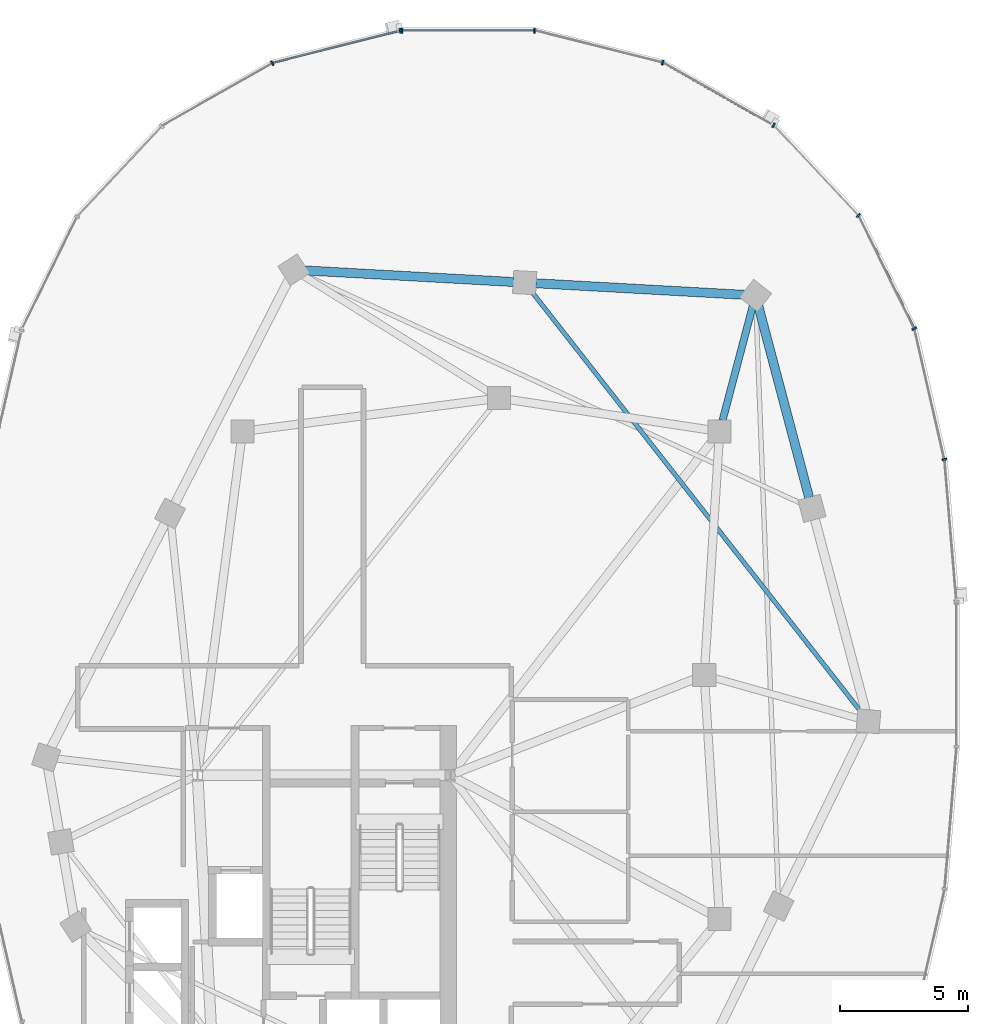
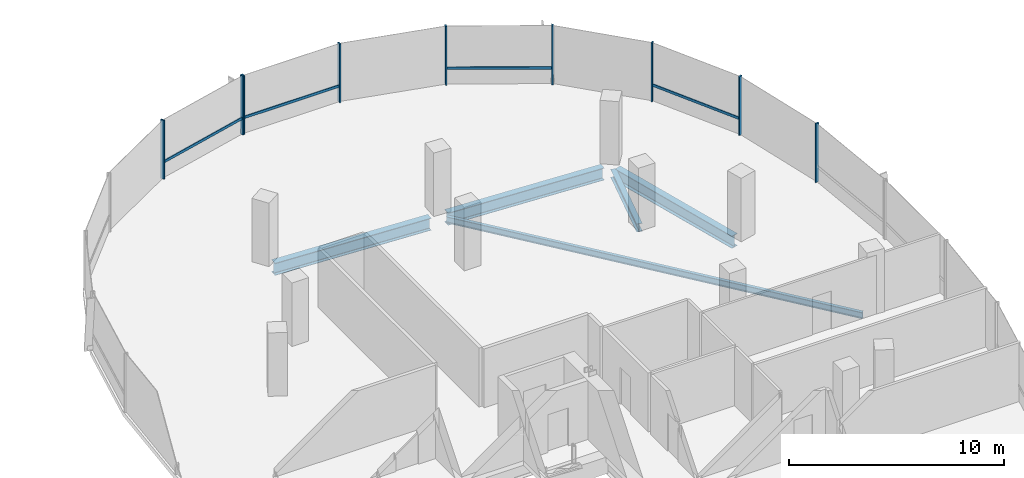
# One storey, part 12 of 25: 13 members, 5 beams, 2 elements without a shape of their own.
"""IFC4 building model written with IfcOpenShell, lengths in metres."""

from ifc_helpers import new_model, si_unit, direction, frame, origin, origin_2d, place, context, subcontext, project, spatial, rectangle, i_section, extrude, material, material_profile, profile_set, type_object, element, aggregate, save


model = new_model("IFC4")

# Units and contexts
model_context = context("Model", 3, precision=1e-05, world=origin(), true_north=direction((0.0, 1.0)))
body_context = subcontext(model_context, "Body", "Model", "MODEL_VIEW")
ifc_project = project(units=[si_unit("LENGTHUNIT", "METRE"), si_unit("AREAUNIT", "SQUARE_METRE"), si_unit("VOLUMEUNIT", "CUBIC_METRE"), si_unit("PLANEANGLEUNIT", "RADIAN"), si_unit("MASSUNIT", "GRAM", prefix="KILO"), si_unit("THERMODYNAMICTEMPERATUREUNIT", "KELVIN"), si_unit("POWERUNIT", "WATT")], contexts=[model_context])

# Site, building, storey
site_placement = place(None, origin())
site = spatial("IfcSite", under=ifc_project, at=site_placement, CompositionType="ELEMENT")
building_placement = place(site_placement, origin())
building = spatial("IfcBuilding", under=site, at=building_placement, Name="Cundina Bronze Exchange", CompositionType="ELEMENT")
storey_placement = place(building_placement, frame((0.0, 0.0, 195.39990234375)))
storey = spatial("IfcBuildingStorey", under=building, at=storey_placement, Name="L51", CompositionType="ELEMENT", Elevation=195.39990234375)

# Beams
ifc_material_1 = material(Name="Steel ASTM A992 Grade 50", Category="steel")
ifc_material_profile_1 = material_profile(ifc_material_1, i_section(OverallWidth=0.280029296875, OverallDepth=0.462890625, WebThickness=0.0107421875, FlangeThickness=0.017333984375, FilletRadius=0.011962890625, at=origin_2d()), Name="W18X76", Category="steel")
ifc_profile_set_1 = profile_set([ifc_material_profile_1], Name="Steel ASTM A992 Grade 50")
beam_type_1 = type_object("IfcBeamType", Name="BM-FLR-W18A", PredefinedType="BEAM", material=ifc_profile_set_1)
beam_1_placement = place(storey_placement, frame((41.911865234375, 9.923583984375, -0.491455078125), z_axis=(0.255398602339, 0.96683584642, 0.0), x_axis=(-0.96683584642, 0.255398602339, 0.0)))
element("IfcBeam", 1, at=beam_1_placement, inside=storey, type_object=beam_type_1, Name="L51 Leg E Chordal Floor Beam 10", PredefinedType="BEAM", context=body_context, shape_type="SweptSolid", body=[
    extrude(i_section(OverallWidth=0.280029296875, OverallDepth=0.462890625, WebThickness=0.0107421875, FlangeThickness=0.017333984375, FilletRadius=0.011962890625, at=origin_2d()), origin(), (0.0, 0.0, 1.0), 4.605712890625),
])
ifc_material_profile_2 = material_profile(ifc_material_1, i_section(OverallWidth=0.172119140625, OverallDepth=0.35791015625, WebThickness=0.0078125, FlangeThickness=0.01318359375, FilletRadius=0.010009765625, at=origin_2d()), Name="W14X38", Category="steel")
ifc_profile_set_2 = profile_set([ifc_material_profile_2], Name="Steel ASTM A992 Grade 50")
beam_type_2 = type_object("IfcBeamType", Name="BM-JST-W14", PredefinedType="JOIST", material=ifc_profile_set_2)
beam_2_placement = place(storey_placement, frame((47.329833984375, -1.455078125, -0.43896484375), z_axis=(-0.616810493522, 0.787111691618, 0.0), x_axis=(-0.787111691618, -0.616810493522, 0.0)))
element("IfcBeam", 2, at=beam_2_placement, inside=storey, type_object=beam_type_2, Name="L51 Leg E Lobe Floor Joist 08-11", PredefinedType="JOIST", context=body_context, shape_type="SweptSolid", body=[
    extrude(i_section(OverallWidth=0.172119140625, OverallDepth=0.35791015625, WebThickness=0.0078125, FlangeThickness=0.01318359375, FilletRadius=0.010009765625, at=origin_2d()), origin(), (0.0, 0.0, 1.0), 20.8486328125),
])
ifc_material_profile_3 = material_profile(ifc_material_1, i_section(OverallWidth=0.35498046875, OverallDepth=0.695068359375, WebThickness=0.015380859375, FlangeThickness=0.02490234375, FilletRadius=0.01806640625, at=origin_2d()), Name="W27X146", Category="steel")
ifc_profile_set_3 = profile_set([ifc_material_profile_3], Name="Steel ASTM A992 Grade 50")
beam_type_3 = type_object("IfcBeamType", Name="BM-RING-W27", PredefinedType="USERDEFINED", material=ifc_profile_set_3)
beam_3_placement = place(storey_placement, frame((45.287841796875, 6.92333984375, -0.607421875), z_axis=(-0.256211934474, 0.966620631185, 0.0), x_axis=(-0.966620631185, -0.256211934474, 0.0)))
element("IfcBeam", 3, at=beam_3_placement, inside=storey, type_object=beam_type_3, Name="L51 E Perimeter Ring Girder 09", ObjectType="GIRDER", PredefinedType="USERDEFINED", context=body_context, shape_type="SweptSolid", body=[
    extrude(i_section(OverallWidth=0.35498046875, OverallDepth=0.695068359375, WebThickness=0.015380859375, FlangeThickness=0.02490234375, FilletRadius=0.01806640625, at=origin_2d()), origin(), (0.0, 0.0, 1.0), 7.710693359375),
])
for number, where, z_axis, x_axis, name in (
    (4, (42.7626953125, 14.82421875, -0.607421875), (-0.998460353205, 0.055470019623, 0.0), (-0.055470019623, -0.998460353205, 0.0), "L51 E Perimeter Ring Girder 10"),
    (5, (33.7626953125, 15.32421875, -0.607421875), (-0.998460353205, 0.055470019623, 0.0), (-0.055470019623, -0.998460353205, 0.0), "L51 E Perimeter Ring Girder 11"),
):
    element("IfcBeam", number, at=place(storey_placement, frame(where, z_axis=z_axis, x_axis=x_axis)), inside=storey, type_object=beam_type_3, Name=name, ObjectType="GIRDER", PredefinedType="USERDEFINED", context=body_context, shape_type="SweptSolid", body=[
        extrude(i_section(OverallWidth=0.35498046875, OverallDepth=0.695068359375, WebThickness=0.015380859375, FlangeThickness=0.02490234375, FilletRadius=0.01806640625, at=origin_2d()), origin(), (0.0, 0.0, 1.0), 8.137939453125),
    ])

# Curtain wall, members
ifc_material_2 = material(Name="Anodised Bronze Aluminium 6063-T6", Category="aluminium")
curtain_wall_type = type_object("IfcCurtainWallType", Name="CWS-UPP-OFF", PredefinedType="NOTDEFINED", material=ifc_material_2)
curtain_wall_1_placement = place(storey_placement, origin())
curtain_wall_1 = element("IfcCurtainWall", 6, at=curtain_wall_1_placement, inside=storey, type_object=curtain_wall_type, Name="L51 CW-05 Curtain Wall Run CWR-L51-E1", PredefinedType="NOTDEFINED")
ifc_material_profile_4 = material_profile(ifc_material_2, rectangle(XDim=0.070068359375, YDim=0.18994140625, at=origin_2d()), Name="AL70X190", Category="aluminium")
ifc_profile_set_4 = profile_set([ifc_material_profile_4], Name="Anodised Bronze Aluminium 6063-T6")
member_type_1 = type_object("IfcMemberType", Name="CWM-MUL-190", PredefinedType="MULLION", material=ifc_profile_set_4)
member_1_placement = place(storey_placement, frame((50.56005859375, 8.4111328125, 0.0), z_axis=(0.0, 0.0, 1.0), x_axis=(-0.223250116011, 0.974761194191, 0.0)))
member_1 = element("IfcMember", 7, at=member_1_placement, type_object=member_type_1, Name="CW-05 Mullion 2", PredefinedType="MULLION", context=body_context, shape_type="SweptSolid", body=[
    extrude(rectangle(XDim=0.070068359375, YDim=0.18994140625, at=origin_2d()), origin(), (0.0, 0.0, 1.0), 3.340087890625),
])
member_2_placement = place(storey_placement, frame((49.38427734375, 13.50732421875, 0.0), z_axis=(0.0, 0.0, 1.0), x_axis=(-0.440566004113, 0.897720221461, 0.0)))
member_2 = element("IfcMember", 8, at=member_2_placement, type_object=member_type_1, Name="CW-05 Mullion 3", PredefinedType="MULLION", context=body_context, shape_type="SweptSolid", body=[
    extrude(rectangle(XDim=0.070068359375, YDim=0.18994140625, at=origin_2d()), origin(), (0.0, 0.0, 1.0), 3.340087890625),
])
member_3_placement = place(storey_placement, frame((47.209716796875, 17.91796875, 0.0), z_axis=(0.0, 0.0, 1.0), x_axis=(-0.684292606175, 0.729207535023, 0.0)))
member_3 = element("IfcMember", 9, at=member_3_placement, type_object=member_type_1, Name="CW-05 Mullion 4", PredefinedType="MULLION", context=body_context, shape_type="SweptSolid", body=[
    extrude(rectangle(XDim=0.070068359375, YDim=0.18994140625, at=origin_2d()), origin(), (0.0, 0.0, 1.0), 3.340087890625),
])
member_4_placement = place(storey_placement, frame((43.899658203125, 21.43115234375, 0.0), z_axis=(0.0, 0.0, 1.0), x_axis=(-0.86958112538, 0.493790103568, 0.0)))
member_4 = element("IfcMember", 10, at=member_4_placement, type_object=member_type_1, Name="CW-05 Mullion 5", PredefinedType="MULLION", context=body_context, shape_type="SweptSolid", body=[
    extrude(rectangle(XDim=0.070068359375, YDim=0.18994140625, at=origin_2d()), origin(), (0.0, 0.0, 1.0), 3.340087890625),
])
member_5_placement = place(storey_placement, frame((39.577392578125, 23.87548828125, 0.0), z_axis=(0.0, 0.0, 1.0), x_axis=(-0.969744325821, 0.244122802168, 0.0)))
member_5 = element("IfcMember", 11, at=member_5_placement, type_object=member_type_1, Name="CW-05 Mullion 6", PredefinedType="MULLION", context=body_context, shape_type="SweptSolid", body=[
    extrude(rectangle(XDim=0.070068359375, YDim=0.18994140625, at=origin_2d()), origin(), (0.0, 0.0, 1.0), 3.340087890625),
])
member_6_placement = place(storey_placement, frame((34.580078125, 25.125, 0.0), z_axis=(0.0, 0.0, 1.0), x_axis=(-1.0, 0.0, 0.0)))
member_6 = element("IfcMember", 12, at=member_6_placement, type_object=member_type_1, Name="CW-05 Mullion 7", PredefinedType="MULLION", context=body_context, shape_type="SweptSolid", body=[
    extrude(rectangle(XDim=0.070068359375, YDim=0.18994140625, at=origin_2d()), origin(), (0.0, 0.0, 1.0), 3.340087890625),
])
member_7_placement = place(storey_placement, frame((29.419921875, 25.125, 0.0), z_axis=(0.0, 0.0, 1.0), x_axis=(-1.0, 0.0, 0.0)))
member_7 = element("IfcMember", 13, at=member_7_placement, type_object=member_type_1, Name="CW-05 End Mullion", PredefinedType="MULLION", context=body_context, shape_type="SweptSolid", body=[
    extrude(rectangle(XDim=0.070068359375, YDim=0.18994140625, at=origin_2d()), origin(), (0.0, 0.0, 1.0), 3.340087890625),
])

curtain_wall_2_placement = place(storey_placement, origin())
curtain_wall_2 = element("IfcCurtainWall", 14, at=curtain_wall_2_placement, inside=storey, type_object=curtain_wall_type, Name="L51 CW-05 Curtain Wall Run CWR-L51-E2", PredefinedType="NOTDEFINED")
member_8_placement = place(storey_placement, frame((29.3515625, 25.116455078125, 0.0), z_axis=(0.0, 0.0, 1.0), x_axis=(-0.969744325821, -0.244122802168, 0.0)))
member_8 = element("IfcMember", 15, at=member_8_placement, type_object=member_type_1, Name="CW-05 Mullion 1", PredefinedType="MULLION", context=body_context, shape_type="SweptSolid", body=[
    extrude(rectangle(XDim=0.070068359375, YDim=0.18994140625, at=origin_2d()), origin(), (0.0, 0.0, 1.0), 3.340087890625),
])
member_9_placement = place(storey_placement, frame((24.361083984375, 23.850830078125, 0.0), z_axis=(0.0, 0.0, 1.0), x_axis=(-0.86958112538, -0.493790103568, 0.0)))
member_9 = element("IfcMember", 16, at=member_9_placement, type_object=member_type_1, Name="CW-05 Mullion 2", PredefinedType="MULLION", context=body_context, shape_type="SweptSolid", body=[
    extrude(rectangle(XDim=0.070068359375, YDim=0.18994140625, at=origin_2d()), origin(), (0.0, 0.0, 1.0), 3.340087890625),
])

# Member
ifc_material_profile_5 = material_profile(ifc_material_2, rectangle(XDim=0.06494140625, YDim=0.14990234375, at=origin_2d()), Name="AL65X150", Category="aluminium")
ifc_profile_set_5 = profile_set([ifc_material_profile_5], Name="Anodised Bronze Aluminium 6063-T6")
member_type_2 = type_object("IfcMemberType", Name="CWM-TRN-150", PredefinedType="USERDEFINED", material=ifc_profile_set_5)
member_10_placement = place(storey_placement, frame((49.3671875, 13.5419921875, 0.920166015625), z_axis=(-0.440483110889, 0.897760897467, 0.0), x_axis=(-0.897760897467, -0.440483110889, 0.0)))
member_10 = element("IfcMember", 17, at=member_10_placement, type_object=member_type_2, Name="CW-05 Spandrel Transom 3", ObjectType="TRANSOM", PredefinedType="USERDEFINED", context=body_context, shape_type="SweptSolid", body=[
    extrude(rectangle(XDim=0.06494140625, YDim=0.14990234375, at=origin_2d()), origin(), (0.0, 0.0, 1.0), 4.855224609375),
])

member_11_placement = place(storey_placement, frame((43.8662109375, 21.4501953125, 0.920166015625), z_axis=(-0.869573748083, 0.493803095013, 0.0), x_axis=(-0.493803095013, -0.869573748083, 0.0)))
member_11 = element("IfcMember", 18, at=member_11_placement, type_object=member_type_2, Name="CW-05 Spandrel Transom 5", ObjectType="TRANSOM", PredefinedType="USERDEFINED", context=body_context, shape_type="SweptSolid", body=[
    extrude(rectangle(XDim=0.06494140625, YDim=0.14990234375, at=origin_2d()), origin(), (0.0, 0.0, 1.0), 4.900146484375),
])

member_12_placement = place(storey_placement, frame((34.54150390625, 25.125, 0.920166015625), z_axis=(-1.0, 0.0, 0.0), x_axis=(0.0, -1.0, 0.0)))
member_12 = element("IfcMember", 19, at=member_12_placement, type_object=member_type_2, Name="CW-05 Spandrel Transom 7", ObjectType="TRANSOM", PredefinedType="USERDEFINED", context=body_context, shape_type="SweptSolid", body=[
    extrude(rectangle(XDim=0.06494140625, YDim=0.14990234375, at=origin_2d()), origin(), (0.0, 0.0, 1.0), 5.0830078125),
])

aggregate(curtain_wall_1, [member_1, member_2, member_10, member_3, member_4, member_11, member_5, member_6, member_7, member_12])

member_13_placement = place(storey_placement, frame((29.314208984375, 25.107177734375, 0.920166015625), z_axis=(-0.969725738797, -0.244196624699, 0.0), x_axis=(0.244196624699, -0.969725738797, 0.0)))
member_13 = element("IfcMember", 20, at=member_13_placement, type_object=member_type_2, Name="CW-05 Spandrel Transom 1", ObjectType="TRANSOM", PredefinedType="USERDEFINED", context=body_context, shape_type="SweptSolid", body=[
    extrude(rectangle(XDim=0.06494140625, YDim=0.14990234375, at=origin_2d()), origin(), (0.0, 0.0, 1.0), 5.082763671875),
])

aggregate(curtain_wall_2, [member_8, member_13, member_9])

save(model, "model.ifc")
